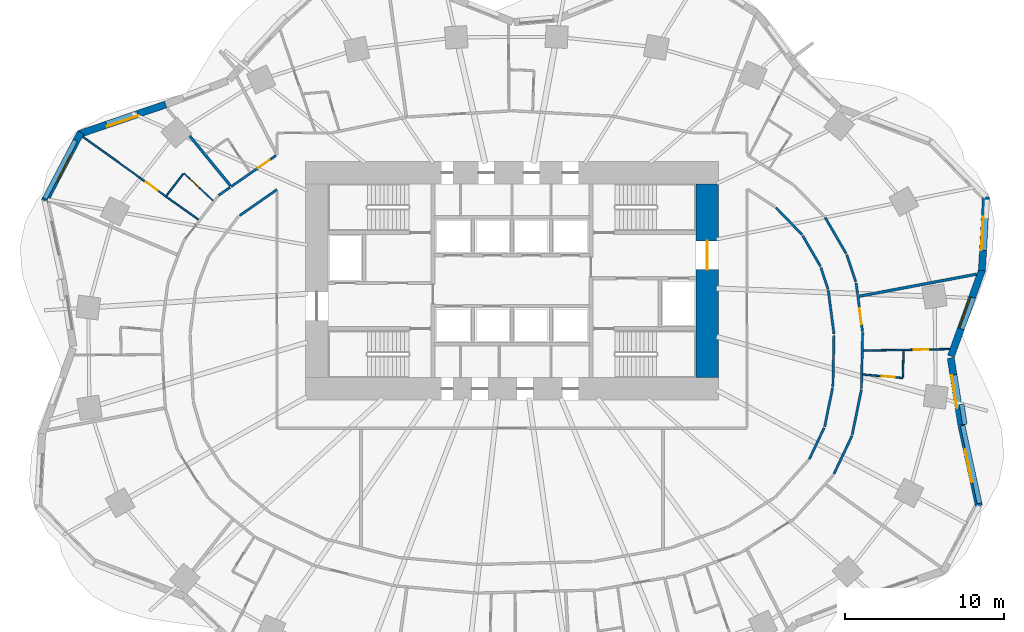
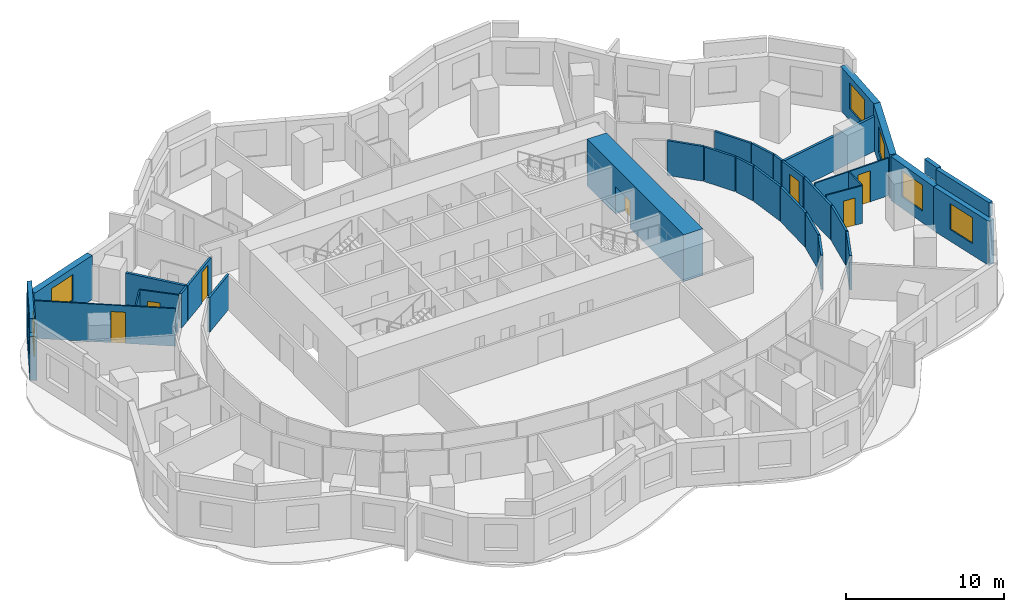
# One storey, part 7 of 11: 35 walls, 7 doors, 6 windows, 13 openings.
"""IFC4 building model written with IfcOpenShell, lengths in metres."""

from ifc_helpers import new_model, si_unit, direction, frame, frame_2d, origin, place, context, subcontext, project, spatial, rectangle, extrude, material, layer, layer_set, type_object, element, fill, save


model = new_model("IFC4")

# Units and contexts
model_context = context("Model", 3, precision=1e-05, world=origin(), true_north=direction((0.0, 1.0)))
body_context = subcontext(model_context, "Body", "Model", "MODEL_VIEW")
ifc_project = project(units=[si_unit("LENGTHUNIT", "METRE"), si_unit("AREAUNIT", "SQUARE_METRE"), si_unit("VOLUMEUNIT", "CUBIC_METRE"), si_unit("PLANEANGLEUNIT", "RADIAN"), si_unit("MASSUNIT", "GRAM", prefix="KILO")], contexts=[model_context])

# Site, building, storey
site_placement = place(None, origin())
site = spatial("IfcSite", under=ifc_project, at=site_placement, CompositionType="ELEMENT")
building_placement = place(site_placement, origin())
building = spatial("IfcBuilding", under=site, at=building_placement, Name="Rubra Terraces Tower", CompositionType="ELEMENT")
storey_placement = place(building_placement, frame((0.0, 0.0, 51.89990234375)))
storey = spatial("IfcBuildingStorey", under=building, at=storey_placement, Name="L10", CompositionType="ELEMENT", Elevation=51.89990234375)

# Walls
ifc_material_1 = material(Name="Twin plasterboard on staggered steel stud, acoustic mineral wool", Category="steel")
ifc_layer_1 = layer(ifc_material_1, 0.175048828125)
ifc_layer_set_1 = layer_set([ifc_layer_1], Name="Twin plasterboard on staggered steel stud, acoustic mineral wool")
wall_type_1 = type_object("IfcWallType", Name="ACOUSTIC PARTY WALL 175", PredefinedType="PARTITIONING", material=ifc_layer_set_1)
wall_1_placement = place(storey_placement, frame((-20.2919921875, 13.607666015625, 0.0), z_axis=(0.0, 0.0, 1.0), x_axis=(0.633888862279, -0.773424146428, 0.0)))
element("IfcWall", 1, at=wall_1_placement, inside=storey, type_object=wall_type_1, Name="PARTITION", PredefinedType="PARTITIONING", context=body_context, shape_type="SweptSolid", body=[
    extrude(rectangle(XDim=4.041748046875, YDim=0.175048828125, at=frame_2d((2.02099609375, 0.0))), origin(), (0.0, 0.0, 1.0), 2.68017578125),
])
wall_2_placement = place(storey_placement, frame((29.256591796875, 4.90966796875, 0.0), z_axis=(0.0, 0.0, 1.0), x_axis=(-0.982749785581, -0.184940149617, 0.0)))
element("IfcWall", 2, at=wall_2_placement, inside=storey, type_object=wall_type_1, Name="PARTITION", PredefinedType="PARTITIONING", context=body_context, shape_type="SweptSolid", body=[
    extrude(rectangle(XDim=7.532470703125, YDim=0.175048828125, at=frame_2d((3.76611328125, 0.0))), origin(), (0.0, 0.0, 1.0), 2.68017578125),
])

# Wall, opening, window
ifc_material_2 = material(Name="Brick masonry red-brown", Category="masonry")
ifc_layer_2 = layer(ifc_material_2, 0.449951171875)
ifc_layer_set_2 = layer_set([ifc_layer_2], Name="Brick masonry red-brown")
wall_type_2 = type_object("IfcWallType", Name="Brick facade wall 450", PredefinedType="SOLIDWALL", material=ifc_layer_set_2)
wall_3_placement = place(storey_placement, frame((27.638427734375, -0.25732421875, 0.0), z_axis=(0.0, 0.0, 1.0), x_axis=(0.338914809068, 0.940817066275, 0.0)))
wall_3 = element("IfcWall", 3, at=wall_3_placement, inside=storey, type_object=wall_type_2, Name="Facade wall L10 bay 1", PredefinedType="SOLIDWALL", context=body_context, shape_type="SweptSolid", body=[
    extrude(rectangle(XDim=5.79736328125, YDim=0.449951171875, at=frame_2d((2.898681640625, 0.0))), origin(), (0.0, 0.0, 1.0), 3.400146484375),
])
opening_1_placement = place(wall_3_placement, frame((1.8486328125, 0.0, 0.89990234375)))
opening_1 = element("IfcOpeningElement", 4, at=opening_1_placement, cuts=wall_3, Name="Opening W1", PredefinedType="OPENING", context=body_context, shape_type="SweptSolid", body=[
    extrude(rectangle(XDim=2.10009765625, YDim=2.0, at=frame_2d((1.050048828125, 1.0))), frame((0.0, 0.23486328125, 0.0), z_axis=(0.0, -1.0, 0.0), x_axis=(1.0, 0.0, 0.0)), (0.0, 0.0, 1.0), 0.469970703125),
])
ifc_material_3 = material(Name="Clear glass in aluminium frame", Category="aluminium")
window_type = type_object("IfcWindowType", Name="Fixed deep-set window 2100 x 2000", PartitioningType="SINGLE_PANEL", PredefinedType="WINDOW", material=ifc_material_3)
window_1_placement = place(opening_1_placement, origin())
window_1 = element("IfcWindow", 5, at=window_1_placement, inside=storey, type_object=window_type, Name="Window L10 bay 1", OverallHeight=2.0, OverallWidth=2.10009765625, PartitioningType="SINGLE_PANEL", PredefinedType="WINDOW", context=body_context, shape_type="SweptSolid", body=[
    extrude(rectangle(XDim=2.10009765625, YDim=2.0, at=frame_2d((1.050048828125, 1.0))), frame((0.0, 0.135009765625, 0.0), z_axis=(0.0, -1.0, 0.0), x_axis=(1.0, 0.0, 0.0)), (0.0, 0.0, 1.0), 0.06005859375),
])
fill(opening_1, window_1)

wall_4_placement = place(storey_placement, frame((29.59033203125, 5.1328125, 0.0), z_axis=(0.0, 0.0, 1.0), x_axis=(0.054738225791, 0.998500739427, 0.0)))
wall_4 = element("IfcWall", 6, at=wall_4_placement, inside=storey, type_object=wall_type_2, Name="Facade wall L10 bay 2", PredefinedType="SOLIDWALL", context=body_context, shape_type="SweptSolid", body=[
    extrude(rectangle(XDim=4.656494140625, YDim=0.449951171875, at=frame_2d((2.328125, 0.0))), origin(), (0.0, 0.0, 1.0), 3.400146484375),
])
opening_2_placement = place(wall_4_placement, frame((1.2783203125, 0.0, 0.89990234375)))
opening_2 = element("IfcOpeningElement", 7, at=opening_2_placement, cuts=wall_4, Name="Opening W1", PredefinedType="OPENING", context=body_context, shape_type="SweptSolid", body=[
    extrude(rectangle(XDim=2.10009765625, YDim=2.0, at=frame_2d((1.050048828125, 1.0))), frame((0.0, 0.23486328125, 0.0), z_axis=(0.0, -1.0, 0.0), x_axis=(1.0, 0.0, 0.0)), (0.0, 0.0, 1.0), 0.469970703125),
])
window_2_placement = place(opening_2_placement, origin())
window_2 = element("IfcWindow", 8, at=window_2_placement, inside=storey, type_object=window_type, Name="Window L10 bay 2", OverallHeight=2.0, OverallWidth=2.10009765625, PartitioningType="SINGLE_PANEL", PredefinedType="WINDOW", context=body_context, shape_type="SweptSolid", body=[
    extrude(rectangle(XDim=2.10009765625, YDim=2.0, at=frame_2d((1.050048828125, 1.0))), frame((0.0, 0.135009765625, 0.0), z_axis=(0.0, -1.0, 0.0), x_axis=(1.0, 0.0, 0.0)), (0.0, 0.0, 1.0), 0.06005859375),
])
fill(opening_2, window_2)

wall_5_placement = place(storey_placement, frame((-21.802978515625, 15.597412109375, 0.0), z_axis=(0.0, 0.0, 1.0), x_axis=(-0.946115314877, -0.323829910532, 0.0)))
wall_5 = element("IfcWall", 9, at=wall_5_placement, inside=storey, type_object=wall_type_2, Name="Facade wall L10 bay 17", PredefinedType="SOLIDWALL", context=body_context, shape_type="SweptSolid", body=[
    extrude(rectangle(XDim=5.782470703125, YDim=0.449951171875, at=frame_2d((2.89111328125, 0.0))), origin(), (0.0, 0.0, 1.0), 3.400146484375),
])
opening_3_placement = place(wall_5_placement, frame((1.84130859375, 0.0, 0.89990234375)))
opening_3 = element("IfcOpeningElement", 10, at=opening_3_placement, cuts=wall_5, Name="Opening W1", PredefinedType="OPENING", context=body_context, shape_type="SweptSolid", body=[
    extrude(rectangle(XDim=2.10009765625, YDim=2.0, at=frame_2d((1.050048828125, 1.0))), frame((0.0, 0.23486328125, 0.0), z_axis=(0.0, -1.0, 0.0), x_axis=(1.0, 0.0, 0.0)), (0.0, 0.0, 1.0), 0.469970703125),
])
window_3_placement = place(opening_3_placement, origin())
window_3 = element("IfcWindow", 11, at=window_3_placement, inside=storey, type_object=window_type, Name="Window L10 bay 17", OverallHeight=2.0, OverallWidth=2.10009765625, PartitioningType="SINGLE_PANEL", PredefinedType="WINDOW", context=body_context, shape_type="SweptSolid", body=[
    extrude(rectangle(XDim=2.10009765625, YDim=2.0, at=frame_2d((1.050048828125, 1.0))), frame((0.0, 0.135009765625, 0.0), z_axis=(0.0, -1.0, 0.0), x_axis=(1.0, 0.0, 0.0)), (0.0, 0.0, 1.0), 0.06005859375),
])
fill(opening_3, window_3)

wall_6_placement = place(storey_placement, frame((-27.15283203125, 13.831298828125, 0.0), z_axis=(0.0, 0.0, 1.0), x_axis=(-0.465165872942, -0.885223537108, 0.0)))
wall_6 = element("IfcWall", 12, at=wall_6_placement, inside=storey, type_object=wall_type_2, Name="Facade wall L10 bay 18", PredefinedType="SOLIDWALL", context=body_context, shape_type="SweptSolid", body=[
    extrude(rectangle(XDim=4.87109375, YDim=0.449951171875, at=frame_2d((2.435546875, 0.0))), origin(), (0.0, 0.0, 1.0), 3.400146484375),
])
opening_4_placement = place(wall_6_placement, frame((1.385498046875, 0.0, 0.89990234375)))
opening_4 = element("IfcOpeningElement", 13, at=opening_4_placement, cuts=wall_6, Name="Opening W1", PredefinedType="OPENING", context=body_context, shape_type="SweptSolid", body=[
    extrude(rectangle(XDim=2.10009765625, YDim=2.0, at=frame_2d((1.050048828125, 1.0))), frame((0.0, 0.23486328125, 0.0), z_axis=(0.0, -1.0, 0.0), x_axis=(1.0, 0.0, 0.0)), (0.0, 0.0, 1.0), 0.469970703125),
])
window_4_placement = place(opening_4_placement, origin())
window_4 = element("IfcWindow", 14, at=window_4_placement, inside=storey, type_object=window_type, Name="Window L10 bay 18", OverallHeight=2.0, OverallWidth=2.10009765625, PartitioningType="SINGLE_PANEL", PredefinedType="WINDOW", context=body_context, shape_type="SweptSolid", body=[
    extrude(rectangle(XDim=2.10009765625, YDim=2.0, at=frame_2d((1.050048828125, 1.0))), frame((0.0, 0.135009765625, 0.0), z_axis=(0.0, -1.0, 0.0), x_axis=(1.0, 0.0, 0.0)), (0.0, 0.0, 1.0), 0.06005859375),
])
fill(opening_4, window_4)

wall_7_placement = place(storey_placement, frame((29.39697265625, -9.665771484375, 0.0), z_axis=(0.0, 0.0, 1.0), x_axis=(-0.211962455994, 0.977277809657, 0.0)))
wall_7 = element("IfcWall", 15, at=wall_7_placement, inside=storey, type_object=wall_type_2, Name="Facade wall L10 bay 39", PredefinedType="SOLIDWALL", context=body_context, shape_type="SweptSolid", body=[
    extrude(rectangle(XDim=5.185546875, YDim=0.449951171875, at=frame_2d((2.5927734375, 0.0))), origin(), (0.0, 0.0, 1.0), 3.400146484375),
])
opening_5_placement = place(wall_7_placement, frame((1.542724609375, 0.0, 0.89990234375)))
opening_5 = element("IfcOpeningElement", 16, at=opening_5_placement, cuts=wall_7, Name="Opening W1", PredefinedType="OPENING", context=body_context, shape_type="SweptSolid", body=[
    extrude(rectangle(XDim=2.10009765625, YDim=2.0, at=frame_2d((1.050048828125, 1.0))), frame((0.0, 0.23486328125, 0.0), z_axis=(0.0, -1.0, 0.0), x_axis=(1.0, 0.0, 0.0)), (0.0, 0.0, 1.0), 0.469970703125),
])
window_5_placement = place(opening_5_placement, origin())
window_5 = element("IfcWindow", 17, at=window_5_placement, inside=storey, type_object=window_type, Name="Window L10 bay 39", OverallHeight=2.0, OverallWidth=2.10009765625, PartitioningType="SINGLE_PANEL", PredefinedType="WINDOW", context=body_context, shape_type="SweptSolid", body=[
    extrude(rectangle(XDim=2.10009765625, YDim=2.0, at=frame_2d((1.050048828125, 1.0))), frame((0.0, 0.135009765625, 0.0), z_axis=(0.0, -1.0, 0.0), x_axis=(1.0, 0.0, 0.0)), (0.0, 0.0, 1.0), 0.06005859375),
])
fill(opening_5, window_5)

wall_8_placement = place(storey_placement, frame((28.295654296875, -4.584228515625, 0.0), z_axis=(0.0, 0.0, 1.0), x_axis=(-0.156402397796, 0.987693419014, 0.0)))
wall_8 = element("IfcWall", 18, at=wall_8_placement, inside=storey, type_object=wall_type_2, Name="Facade wall L10 bay 40", PredefinedType="SOLIDWALL", context=body_context, shape_type="SweptSolid", body=[
    extrude(rectangle(XDim=4.275634765625, YDim=0.449951171875, at=frame_2d((2.1376953125, 0.0))), origin(), (0.0, 0.0, 1.0), 3.400146484375),
])
opening_6_placement = place(wall_8_placement, frame((1.087890625, 0.0, 0.89990234375)))
opening_6 = element("IfcOpeningElement", 19, at=opening_6_placement, cuts=wall_8, Name="Opening W1", PredefinedType="OPENING", context=body_context, shape_type="SweptSolid", body=[
    extrude(rectangle(XDim=2.10009765625, YDim=2.0, at=frame_2d((1.050048828125, 1.0))), frame((0.0, 0.23486328125, 0.0), z_axis=(0.0, -1.0, 0.0), x_axis=(1.0, 0.0, 0.0)), (0.0, 0.0, 1.0), 0.469970703125),
])
window_6_placement = place(opening_6_placement, origin())
window_6 = element("IfcWindow", 20, at=window_6_placement, inside=storey, type_object=window_type, Name="Window L10 bay 40", OverallHeight=2.0, OverallWidth=2.10009765625, PartitioningType="SINGLE_PANEL", PredefinedType="WINDOW", context=body_context, shape_type="SweptSolid", body=[
    extrude(rectangle(XDim=2.10009765625, YDim=2.0, at=frame_2d((1.050048828125, 1.0))), frame((0.0, 0.135009765625, 0.0), z_axis=(0.0, -1.0, 0.0), x_axis=(1.0, 0.0, 0.0)), (0.0, 0.0, 1.0), 0.06005859375),
])
fill(opening_6, window_6)

# Walls
ifc_layer_3 = layer(ifc_material_2, 0.300048828125)
ifc_layer_set_3 = layer_set([ifc_layer_3], Name="Brick masonry red-brown")
wall_type_3 = type_object("IfcWallType", Name="Brick parapet 300", PredefinedType="PARAPET", material=ifc_layer_set_3)
wall_9_placement = place(storey_placement, frame((-27.495361328125, 13.3408203125, 3.60009765625), z_axis=(0.0, 0.0, 1.0), x_axis=(-0.46519687666, -0.88520724463, 0.0)))
element("IfcWall", 21, at=wall_9_placement, inside=storey, type_object=wall_type_3, Name="Parapet L10 bay 18", PredefinedType="PARAPET", context=body_context, shape_type="SweptSolid", body=[
    extrude(rectangle(XDim=4.138671875, YDim=0.300048828125, at=frame_2d((2.0693359375, 0.0))), origin(), (0.0, 0.0, 1.0), 1.10009765625),
])
wall_10_placement = place(storey_placement, frame((29.44189453125, -9.519775390625, 3.60009765625), z_axis=(0.0, 0.0, 1.0), x_axis=(-0.211918382355, 0.977287367779, 0.0)))
element("IfcWall", 22, at=wall_10_placement, inside=storey, type_object=wall_type_3, Name="Parapet L10 bay 39", PredefinedType="PARAPET", context=body_context, shape_type="SweptSolid", body=[
    extrude(rectangle(XDim=5.01611328125, YDim=0.300048828125, at=frame_2d((2.508056640625, 0.0))), origin(), (0.0, 0.0, 1.0), 1.10009765625),
])
wall_11_placement = place(storey_placement, frame((28.51904296875, -4.556396484375, 3.60009765625), z_axis=(0.0, 0.0, 1.0), x_axis=(-0.156466543472, 0.987683259337, 0.0)))
element("IfcWall", 23, at=wall_11_placement, inside=storey, type_object=wall_type_3, Name="Parapet L10 bay 40", PredefinedType="PARAPET", context=body_context, shape_type="SweptSolid", body=[
    extrude(rectangle(XDim=1.29345703125, YDim=0.300048828125, at=frame_2d((0.646728515625, 0.0))), origin(), (0.0, 0.0, 1.0), 1.10009765625),
])

# Wall, opening, door
ifc_material_4 = material(Name="Concrete C70", Category="concrete")
ifc_layer_4 = layer(ifc_material_4, 1.39990234375)
ifc_layer_set_4 = layer_set([ifc_layer_4], Name="Concrete C70")
wall_type_4 = type_object("IfcWallType", Name="CORE WALL 1400 C70", PredefinedType="SHEAR", material=ifc_layer_set_4)
wall_12_placement = place(storey_placement, frame((12.300048828125, -1.60009765625, 0.0), z_axis=(0.0, 0.0, 1.0), x_axis=(0.0, 1.0, 0.0)))
wall_12 = element("IfcWall", 24, at=wall_12_placement, inside=storey, type_object=wall_type_4, Name="CORE WALL E L10", PredefinedType="SHEAR", context=body_context, shape_type="SweptSolid", body=[
    extrude(rectangle(XDim=12.2001953125, YDim=1.39990234375, at=frame_2d((6.10009765625, 0.0))), origin(), (0.0, 0.0, 1.0), 3.60009765625),
])
opening_7_placement = place(wall_12_placement, frame((6.800048828125, 0.0, 0.0)))
opening_7 = element("IfcOpeningElement", 25, at=opening_7_placement, cuts=wall_12, Name="Opening L10.C02", PredefinedType="OPENING", context=body_context, shape_type="SweptSolid", body=[
    extrude(rectangle(XDim=1.800048828125, YDim=2.10009765625, at=frame_2d((0.89990234375, 1.050048828125))), frame((0.0, 0.7099609375, 0.0), z_axis=(0.0, -1.0, 0.0), x_axis=(1.0, 0.0, 0.0)), (0.0, 0.0, 1.0), 1.419921875),
])
ifc_material_5 = material(Name="Painted steel", Category="steel")
door_type_1 = type_object("IfcDoorType", Name="Fire door 1800x2100 double", OperationType="NOTDEFINED", PredefinedType="DOOR", material=ifc_material_5)
door_1_placement = place(opening_7_placement, origin())
door_1 = element("IfcDoor", 26, at=door_1_placement, inside=storey, type_object=door_type_1, Name="Core entrance door FF2", OperationType="DOUBLE_DOOR_SINGLE_SWING", OverallHeight=2.10009765625, OverallWidth=1.800048828125, PredefinedType="DOOR", context=body_context, shape_type="SweptSolid", body=[
    extrude(rectangle(XDim=1.800048828125, YDim=2.10009765625, at=frame_2d((0.89990234375, 1.050048828125))), frame((0.0, 0.02490234375, 0.0), z_axis=(0.0, -1.0, 0.0), x_axis=(1.0, 0.0, 0.0)), (0.0, 0.0, 1.0), 0.050048828125),
])
fill(opening_7, door_1)

ifc_material_6 = material(Name="Plasterboard on steel stud, mineral wool infill", Category="steel")
ifc_layer_5 = layer(ifc_material_6, 0.14990234375)
ifc_layer_set_5 = layer_set([ifc_layer_5], Name="Plasterboard on steel stud, mineral wool infill")
wall_type_5 = type_object("IfcWallType", Name="CORRIDOR PARTITION 150", PredefinedType="PARTITIONING", material=ifc_layer_set_5)
wall_13_placement = place(storey_placement, frame((-14.863037109375, 12.38330078125, 0.0), z_axis=(0.0, 0.0, 1.0), x_axis=(-0.821141348731, -0.570724877155, 0.0)))
wall_13 = element("IfcWall", 27, at=wall_13_placement, inside=storey, type_object=wall_type_5, Name="PARTITION", PredefinedType="PARTITIONING", context=body_context, shape_type="SweptSolid", body=[
    extrude(rectangle(XDim=3.433837890625, YDim=0.14990234375, at=frame_2d((1.716796875, 0.0))), origin(), (0.0, 0.0, 1.0), 2.68017578125),
])
opening_8_placement = place(wall_13_placement, frame((0.47900390625, 0.0, 0.0)))
opening_8 = element("IfcOpeningElement", 28, at=opening_8_placement, cuts=wall_13, Name="Opening 10-105", PredefinedType="OPENING", context=body_context, shape_type="SweptSolid", body=[
    extrude(rectangle(XDim=0.89990234375, YDim=2.39990234375, at=frame_2d((0.449951171875, 1.199951171875))), frame((0.0, 0.0849609375, 0.0), z_axis=(0.0, -1.0, 0.0), x_axis=(1.0, 0.0, 0.0)), (0.0, 0.0, 1.0), 0.169921875),
])
ifc_material_7 = material(Name="Veneered timber door leaf, fire-rated", Category="wood")
door_type_2 = type_object("IfcDoorType", Name="SUITE ENTRANCE DOOR 900 X 2400", OperationType="SINGLE_SWING_LEFT", PredefinedType="DOOR", material=ifc_material_7)
door_2_placement = place(opening_8_placement, origin())
door_2 = element("IfcDoor", 29, at=door_2_placement, inside=storey, type_object=door_type_2, Name="DOOR 10-105", OperationType="SINGLE_SWING_RIGHT", OverallHeight=2.39990234375, OverallWidth=0.89990234375, PredefinedType="DOOR", context=body_context, shape_type="SweptSolid", body=[
    extrude(rectangle(XDim=0.89990234375, YDim=2.39990234375, at=frame_2d((0.449951171875, 1.199951171875))), frame((0.0, 0.02490234375, 0.0), z_axis=(0.0, -1.0, 0.0), x_axis=(1.0, 0.0, 0.0)), (0.0, 0.0, 1.0), 0.050048828125),
])
fill(opening_8, door_2)

# Walls
wall_14_placement = place(storey_placement, frame((-17.744140625, 10.380859375, 0.0), z_axis=(0.0, 0.0, 1.0), x_axis=(-0.821127993695, -0.57074409149, 0.0)))
element("IfcWall", 30, at=wall_14_placement, inside=storey, type_object=wall_type_5, Name="PARTITION", PredefinedType="PARTITIONING", context=body_context, shape_type="SweptSolid", body=[
    extrude(rectangle(XDim=0.89306640625, YDim=0.14990234375, at=frame_2d((0.446533203125, 0.0))), origin(), (0.0, 0.0, 1.0), 2.68017578125),
])
wall_15_placement = place(storey_placement, frame((20.2705078125, -7.669677734375, 0.0), z_axis=(0.0, 0.0, 1.0), x_axis=(0.427995478521, 0.903780875193, 0.0)))
element("IfcWall", 31, at=wall_15_placement, inside=storey, type_object=wall_type_5, Name="PARTITION", PredefinedType="PARTITIONING", context=body_context, shape_type="SweptSolid", body=[
    extrude(rectangle(XDim=2.656494140625, YDim=0.14990234375, at=frame_2d((1.328125, 0.0))), origin(), (0.0, 0.0, 1.0), 2.68017578125),
])
wall_16_placement = place(storey_placement, frame((21.422607421875, -5.1953125, 0.0), z_axis=(0.0, 0.0, 1.0), x_axis=(0.199793264012, 0.979838074202, 0.0)))
element("IfcWall", 32, at=wall_16_placement, inside=storey, type_object=wall_type_5, Name="PARTITION", PredefinedType="PARTITIONING", context=body_context, shape_type="SweptSolid", body=[
    extrude(rectangle(XDim=2.897216796875, YDim=0.14990234375, at=frame_2d((1.44873046875, 0.0))), origin(), (0.0, 0.0, 1.0), 2.68017578125),
])
wall_17_placement = place(storey_placement, frame((22.003173828125, -2.281494140625, 0.0), z_axis=(0.0, 0.0, 1.0), x_axis=(0.021172866829, 0.999775829729, 0.0)))
element("IfcWall", 33, at=wall_17_placement, inside=storey, type_object=wall_type_5, Name="PARTITION", PredefinedType="PARTITIONING", context=body_context, shape_type="SweptSolid", body=[
    extrude(rectangle(XDim=3.516845703125, YDim=0.14990234375, at=frame_2d((1.75830078125, 0.0))), origin(), (0.0, 0.0, 1.0), 2.68017578125),
])

# Wall, opening, door
wall_18_placement = place(storey_placement, frame((22.06787109375, 1.30908203125, 0.0), z_axis=(0.0, 0.0, 1.0), x_axis=(-0.129886420754, 0.991528878906, 0.0)))
wall_18 = element("IfcWall", 34, at=wall_18_placement, inside=storey, type_object=wall_type_5, Name="PARTITION", PredefinedType="PARTITIONING", context=body_context, shape_type="SweptSolid", body=[
    extrude(rectangle(XDim=2.21240234375, YDim=0.14990234375, at=frame_2d((1.106201171875, 0.0))), origin(), (0.0, 0.0, 1.0), 2.68017578125),
])
opening_9_placement = place(wall_18_placement, frame((0.449951171875, 0.0, 0.0)))
opening_9 = element("IfcOpeningElement", 35, at=opening_9_placement, cuts=wall_18, Name="Opening 10-128", PredefinedType="OPENING", context=body_context, shape_type="SweptSolid", body=[
    extrude(rectangle(XDim=1.0, YDim=2.10009765625, at=frame_2d((0.5, 1.050048828125))), frame((0.0, 0.0849609375, 0.0), z_axis=(0.0, -1.0, 0.0), x_axis=(1.0, 0.0, 0.0)), (0.0, 0.0, 1.0), 0.169921875),
])
ifc_material_8 = material(Name="Painted timber door leaf", Category="wood")
door_type_3 = type_object("IfcDoorType", Name="ROOM DOOR 1000 X 2100", OperationType="SINGLE_SWING_LEFT", PredefinedType="DOOR", material=ifc_material_8)
door_3_placement = place(opening_9_placement, origin())
door_3 = element("IfcDoor", 36, at=door_3_placement, inside=storey, type_object=door_type_3, Name="DOOR 10-128", OperationType="SINGLE_SWING_RIGHT", OverallHeight=2.10009765625, OverallWidth=1.0, PredefinedType="DOOR", context=body_context, shape_type="SweptSolid", body=[
    extrude(rectangle(XDim=1.0, YDim=2.10009765625, at=frame_2d((0.5, 1.050048828125))), frame((0.0, 0.02490234375, 0.0), z_axis=(0.0, -1.0, 0.0), x_axis=(1.0, 0.0, 0.0)), (0.0, 0.0, 1.0), 0.050048828125),
])
fill(opening_9, door_3)

# Walls
wall_19_placement = place(storey_placement, frame((21.770751953125, 3.576904296875, 0.0), z_axis=(0.0, 0.0, 1.0), x_axis=(-0.129974188098, 0.991517377774, 0.0)))
element("IfcWall", 37, at=wall_19_placement, inside=storey, type_object=wall_type_5, Name="PARTITION", PredefinedType="PARTITIONING", context=body_context, shape_type="SweptSolid", body=[
    extrude(rectangle(XDim=0.788818359375, YDim=0.14990234375, at=frame_2d((0.39453125, 0.0))), origin(), (0.0, 0.0, 1.0), 2.68017578125),
])
wall_20_placement = place(storey_placement, frame((21.644775390625, 4.430419921875, 0.0), z_axis=(0.0, 0.0, 1.0), x_axis=(-0.313700743044, 0.949521902756, 0.0)))
element("IfcWall", 38, at=wall_20_placement, inside=storey, type_object=wall_type_5, Name="PARTITION", PredefinedType="PARTITIONING", context=body_context, shape_type="SweptSolid", body=[
    extrude(rectangle(XDim=1.7978515625, YDim=0.14990234375, at=frame_2d((0.89892578125, 0.0))), origin(), (0.0, 0.0, 1.0), 2.68017578125),
])
wall_21_placement = place(storey_placement, frame((21.043212890625, 6.2021484375, 0.0), z_axis=(0.0, 0.0, 1.0), x_axis=(-0.502371650135, 0.864651794158, 0.0)))
element("IfcWall", 39, at=wall_21_placement, inside=storey, type_object=wall_type_5, Name="PARTITION", PredefinedType="PARTITIONING", context=body_context, shape_type="SweptSolid", body=[
    extrude(rectangle(XDim=2.643798828125, YDim=0.14990234375, at=frame_2d((1.32177734375, 0.0))), origin(), (0.0, 0.0, 1.0), 2.68017578125),
])
wall_22_placement = place(storey_placement, frame((16.603515625, 9.1162109375, 0.0), z_axis=(0.0, 0.0, 1.0), x_axis=(0.695185405932, -0.718830474716, 0.0)))
element("IfcWall", 40, at=wall_22_placement, inside=storey, type_object=wall_type_5, Name="PARTITION", PredefinedType="PARTITIONING", context=body_context, shape_type="SweptSolid", body=[
    extrude(rectangle(XDim=2.3955078125, YDim=0.14990234375, at=frame_2d((1.19775390625, 0.0))), origin(), (0.0, 0.0, 1.0), 2.68017578125),
])
wall_23_placement = place(storey_placement, frame((18.306396484375, 7.329345703125, 0.0), z_axis=(0.0, 0.0, 1.0), x_axis=(0.502425081691, -0.864620747662, 0.0)))
element("IfcWall", 41, at=wall_23_placement, inside=storey, type_object=wall_type_5, Name="PARTITION", PredefinedType="PARTITIONING", context=body_context, shape_type="SweptSolid", body=[
    extrude(rectangle(XDim=2.2373046875, YDim=0.14990234375, at=frame_2d((1.11865234375, 0.0))), origin(), (0.0, 0.0, 1.0), 2.68017578125),
])
wall_24_placement = place(storey_placement, frame((19.453857421875, 5.32373046875, 0.0), z_axis=(0.0, 0.0, 1.0), x_axis=(0.313632756375, -0.949544361327, 0.0)))
element("IfcWall", 42, at=wall_24_placement, inside=storey, type_object=wall_type_5, Name="PARTITION", PredefinedType="PARTITIONING", context=body_context, shape_type="SweptSolid", body=[
    extrude(rectangle(XDim=1.440185546875, YDim=0.14990234375, at=frame_2d((0.72021484375, 0.0))), origin(), (0.0, 0.0, 1.0), 2.68017578125),
])
wall_25_placement = place(storey_placement, frame((19.915283203125, 3.882080078125, 0.0), z_axis=(0.0, 0.0, 1.0), x_axis=(0.129945947446, -0.991521079323, 0.0)))
element("IfcWall", 43, at=wall_25_placement, inside=storey, type_object=wall_type_5, Name="PARTITION", PredefinedType="PARTITIONING", context=body_context, shape_type="SweptSolid", body=[
    extrude(rectangle(XDim=2.769287109375, YDim=0.14990234375, at=frame_2d((1.384765625, 0.0))), origin(), (0.0, 0.0, 1.0), 2.68017578125),
])
wall_26_placement = place(storey_placement, frame((20.2734375, 1.061279296875, 0.0), z_axis=(0.0, 0.0, 1.0), x_axis=(-0.021166906337, -0.99977595594, 0.0)))
element("IfcWall", 44, at=wall_26_placement, inside=storey, type_object=wall_type_5, Name="PARTITION", PredefinedType="PARTITIONING", context=body_context, shape_type="SweptSolid", body=[
    extrude(rectangle(XDim=3.218017578125, YDim=0.14990234375, at=frame_2d((1.60888671875, 0.0))), origin(), (0.0, 0.0, 1.0), 2.68017578125),
])
wall_27_placement = place(storey_placement, frame((20.190185546875, -2.2294921875, 0.0), z_axis=(0.0, 0.0, 1.0), x_axis=(-0.199752828647, -0.97984631828, 0.0)))
element("IfcWall", 45, at=wall_27_placement, inside=storey, type_object=wall_type_5, Name="PARTITION", PredefinedType="PARTITIONING", context=body_context, shape_type="SweptSolid", body=[
    extrude(rectangle(XDim=2.5166015625, YDim=0.14990234375, at=frame_2d((1.25830078125, 0.0))), origin(), (0.0, 0.0, 1.0), 2.68017578125),
])
wall_28_placement = place(storey_placement, frame((19.6552734375, -4.76318359375, 0.0), z_axis=(0.0, 0.0, 1.0), x_axis=(-0.427965880464, -0.903794891089, 0.0)))
element("IfcWall", 46, at=wall_28_placement, inside=storey, type_object=wall_type_5, Name="PARTITION", PredefinedType="PARTITIONING", context=body_context, shape_type="SweptSolid", body=[
    extrude(rectangle(XDim=2.177978515625, YDim=0.14990234375, at=frame_2d((1.0888671875, 0.0))), origin(), (0.0, 0.0, 1.0), 2.68017578125),
])
wall_29_placement = place(storey_placement, frame((-17.15478515625, 8.59814453125, 0.0), z_axis=(0.0, 0.0, 1.0), x_axis=(0.821087350938, 0.570802559673, 0.0)))
element("IfcWall", 47, at=wall_29_placement, inside=storey, type_object=wall_type_5, Name="PARTITION", PredefinedType="PARTITIONING", context=body_context, shape_type="SweptSolid", body=[
    extrude(rectangle(XDim=2.867919921875, YDim=0.14990234375, at=frame_2d((1.43408203125, 0.0))), origin(), (0.0, 0.0, 1.0), 2.68017578125),
])

# Wall, opening, door
ifc_material_9 = material(Name="Plasterboard on steel stud", Category="steel")
ifc_layer_6 = layer(ifc_material_9, 0.10009765625)
ifc_layer_set_6 = layer_set([ifc_layer_6], Name="Plasterboard on steel stud")
wall_type_6 = type_object("IfcWallType", Name="ROOM PARTITION 100", PredefinedType="PARTITIONING", material=ifc_layer_set_6)
wall_30_placement = place(storey_placement, frame((-27.03271484375, 13.5654296875, 0.0), z_axis=(0.0, 0.0, 1.0), x_axis=(0.812686383225, -0.582701332177, 0.0)))
wall_30 = element("IfcWall", 48, at=wall_30_placement, inside=storey, type_object=wall_type_6, Name="PARTITION", PredefinedType="PARTITIONING", context=body_context, shape_type="SweptSolid", body=[
    extrude(rectangle(XDim=8.975341796875, YDim=0.10009765625, at=frame_2d((4.48779296875, 0.0))), origin(), (0.0, 0.0, 1.0), 2.898193359375),
])
opening_10_placement = place(wall_30_placement, frame((4.89990234375, 0.0, 0.0)))
opening_10 = element("IfcOpeningElement", 49, at=opening_10_placement, cuts=wall_30, Name="Opening 10-107", PredefinedType="OPENING", context=body_context, shape_type="SweptSolid", body=[
    extrude(rectangle(XDim=0.89990234375, YDim=2.39990234375, at=frame_2d((0.449951171875, 1.199951171875))), frame((0.0, 0.06005859375, 0.0), z_axis=(0.0, -1.0, 0.0), x_axis=(1.0, 0.0, 0.0)), (0.0, 0.0, 1.0), 0.1201171875),
])
door_4_placement = place(opening_10_placement, origin())
door_4 = element("IfcDoor", 50, at=door_4_placement, inside=storey, type_object=door_type_2, Name="DOOR 10-107", OperationType="SINGLE_SWING_LEFT", OverallHeight=2.39990234375, OverallWidth=0.89990234375, PredefinedType="DOOR", context=body_context, shape_type="SweptSolid", body=[
    extrude(rectangle(XDim=0.89990234375, YDim=2.39990234375, at=frame_2d((0.449951171875, 1.199951171875))), frame((0.0, 0.02490234375, 0.0), z_axis=(0.0, -1.0, 0.0), x_axis=(1.0, 0.0, 0.0)), (0.0, 0.0, 1.0), 0.050048828125),
])
fill(opening_10, door_4)

wall_31_placement = place(storey_placement, frame((-18.82470703125, 9.53759765625, 0.0), z_axis=(0.0, 0.0, 1.0), x_axis=(-0.728106307971, 0.685464225393, 0.0)))
wall_31 = element("IfcWall", 51, at=wall_31_placement, inside=storey, type_object=wall_type_6, Name="PARTITION", PredefinedType="PARTITIONING", context=body_context, shape_type="SweptSolid", body=[
    extrude(rectangle(XDim=2.52490234375, YDim=0.10009765625, at=frame_2d((1.262451171875, 0.0))), origin(), (0.0, 0.0, 1.0), 2.898193359375),
])
opening_11_placement = place(wall_31_placement, frame((1.199951171875, 0.0, 0.0)))
opening_11 = element("IfcOpeningElement", 52, at=opening_11_placement, cuts=wall_31, Name="Opening 10-106", PredefinedType="OPENING", context=body_context, shape_type="SweptSolid", body=[
    extrude(rectangle(XDim=0.800048828125, YDim=2.10009765625, at=frame_2d((0.39990234375, 1.050048828125))), frame((0.0, 0.06005859375, 0.0), z_axis=(0.0, -1.0, 0.0), x_axis=(1.0, 0.0, 0.0)), (0.0, 0.0, 1.0), 0.1201171875),
])
door_type_4 = type_object("IfcDoorType", Name="BATHROOM DOOR 800 X 2100", OperationType="SINGLE_SWING_LEFT", PredefinedType="DOOR", material=ifc_material_8)
door_5_placement = place(opening_11_placement, origin())
door_5 = element("IfcDoor", 53, at=door_5_placement, inside=storey, type_object=door_type_4, Name="DOOR 10-106", OperationType="SINGLE_SWING_LEFT", OverallHeight=2.10009765625, OverallWidth=0.800048828125, PredefinedType="DOOR", context=body_context, shape_type="SweptSolid", body=[
    extrude(rectangle(XDim=0.800048828125, YDim=2.10009765625, at=frame_2d((0.39990234375, 1.050048828125))), frame((0.0, 0.02490234375, 0.0), z_axis=(0.0, -1.0, 0.0), x_axis=(1.0, 0.0, 0.0)), (0.0, 0.0, 1.0), 0.050048828125),
])
fill(opening_11, door_5)

# Wall
wall_32_placement = place(storey_placement, frame((-20.693603515625, 11.228759765625, 0.0), z_axis=(0.0, 0.0, 1.0), x_axis=(-0.610818482981, -0.791770661776, 0.0)))
element("IfcWall", 54, at=wall_32_placement, inside=storey, type_object=wall_type_6, Name="PARTITION", PredefinedType="PARTITIONING", context=body_context, shape_type="SweptSolid", body=[
    extrude(rectangle(XDim=1.745849609375, YDim=0.10009765625, at=frame_2d((0.873046875, 0.0))), origin(), (0.0, 0.0, 1.0), 2.898193359375),
])

# Wall, opening, door
wall_33_placement = place(storey_placement, frame((27.56103515625, 0.191650390625, 0.0), z_axis=(0.0, 0.0, 1.0), x_axis=(-0.999851133368, -0.017254306813, 0.0)))
wall_33 = element("IfcWall", 55, at=wall_33_placement, inside=storey, type_object=wall_type_6, Name="PARTITION", PredefinedType="PARTITIONING", context=body_context, shape_type="SweptSolid", body=[
    extrude(rectangle(XDim=5.433349609375, YDim=0.10009765625, at=frame_2d((2.716796875, 0.0))), origin(), (0.0, 0.0, 1.0), 2.898193359375),
])
opening_12_placement = place(wall_33_placement, frame((1.35791015625, 0.0, 0.0)))
opening_12 = element("IfcOpeningElement", 56, at=opening_12_placement, cuts=wall_33, Name="Opening 10-127", PredefinedType="OPENING", context=body_context, shape_type="SweptSolid", body=[
    extrude(rectangle(XDim=0.89990234375, YDim=2.39990234375, at=frame_2d((0.449951171875, 1.199951171875))), frame((0.0, 0.06005859375, 0.0), z_axis=(0.0, -1.0, 0.0), x_axis=(1.0, 0.0, 0.0)), (0.0, 0.0, 1.0), 0.1201171875),
])
door_6_placement = place(opening_12_placement, origin())
door_6 = element("IfcDoor", 57, at=door_6_placement, inside=storey, type_object=door_type_2, Name="DOOR 10-127", OperationType="SINGLE_SWING_LEFT", OverallHeight=2.39990234375, OverallWidth=0.89990234375, PredefinedType="DOOR", context=body_context, shape_type="SweptSolid", body=[
    extrude(rectangle(XDim=0.89990234375, YDim=2.39990234375, at=frame_2d((0.449951171875, 1.199951171875))), frame((0.0, 0.02490234375, 0.0), z_axis=(0.0, -1.0, 0.0), x_axis=(1.0, 0.0, 0.0)), (0.0, 0.0, 1.0), 0.050048828125),
])
fill(opening_12, door_6)

wall_34_placement = place(storey_placement, frame((22.096435546875, -1.409423828125, 0.0), z_axis=(0.0, 0.0, 1.0), x_axis=(0.996307051097, -0.085861865428, 0.0)))
wall_34 = element("IfcWall", 58, at=wall_34_placement, inside=storey, type_object=wall_type_6, Name="PARTITION", PredefinedType="PARTITIONING", context=body_context, shape_type="SweptSolid", body=[
    extrude(rectangle(XDim=2.52490234375, YDim=0.10009765625, at=frame_2d((1.262451171875, 0.0))), origin(), (0.0, 0.0, 1.0), 2.898193359375),
])
opening_13_placement = place(wall_34_placement, frame((1.199951171875, 0.0, 0.0)))
opening_13 = element("IfcOpeningElement", 59, at=opening_13_placement, cuts=wall_34, Name="Opening 10-126", PredefinedType="OPENING", context=body_context, shape_type="SweptSolid", body=[
    extrude(rectangle(XDim=0.800048828125, YDim=2.10009765625, at=frame_2d((0.39990234375, 1.050048828125))), frame((0.0, 0.06005859375, 0.0), z_axis=(0.0, -1.0, 0.0), x_axis=(1.0, 0.0, 0.0)), (0.0, 0.0, 1.0), 0.1201171875),
])
door_7_placement = place(opening_13_placement, origin())
door_7 = element("IfcDoor", 60, at=door_7_placement, inside=storey, type_object=door_type_4, Name="DOOR 10-126", OperationType="SINGLE_SWING_LEFT", OverallHeight=2.10009765625, OverallWidth=0.800048828125, PredefinedType="DOOR", context=body_context, shape_type="SweptSolid", body=[
    extrude(rectangle(XDim=0.800048828125, YDim=2.10009765625, at=frame_2d((0.39990234375, 1.050048828125))), frame((0.0, 0.02490234375, 0.0), z_axis=(0.0, -1.0, 0.0), x_axis=(1.0, 0.0, 0.0)), (0.0, 0.0, 1.0), 0.050048828125),
])
fill(opening_13, door_7)

# Wall
wall_35_placement = place(storey_placement, frame((24.61328125, -1.576171875, 0.0), z_axis=(0.0, 0.0, 1.0), x_axis=(0.02312366458, 0.99973261232, 0.0)))
element("IfcWall", 61, at=wall_35_placement, inside=storey, type_object=wall_type_6, Name="PARTITION", PredefinedType="PARTITIONING", context=body_context, shape_type="SweptSolid", body=[
    extrude(rectangle(XDim=1.668212890625, YDim=0.10009765625, at=frame_2d((0.833984375, 0.0))), origin(), (0.0, 0.0, 1.0), 2.898193359375),
])

save(model, "model.ifc")
